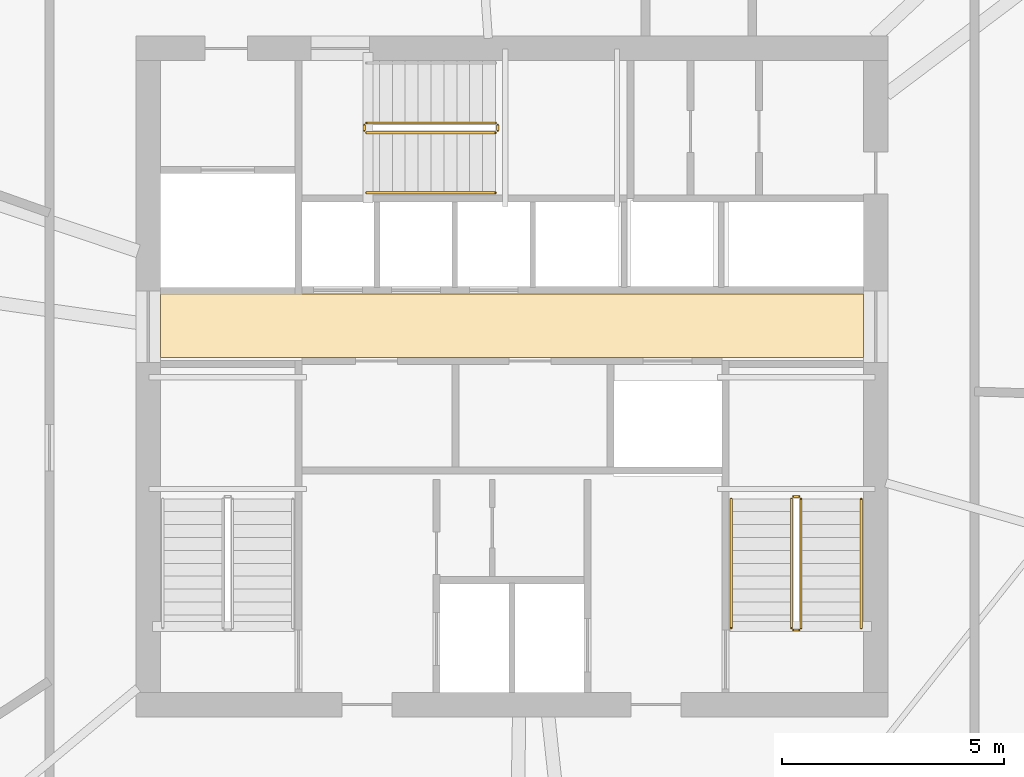
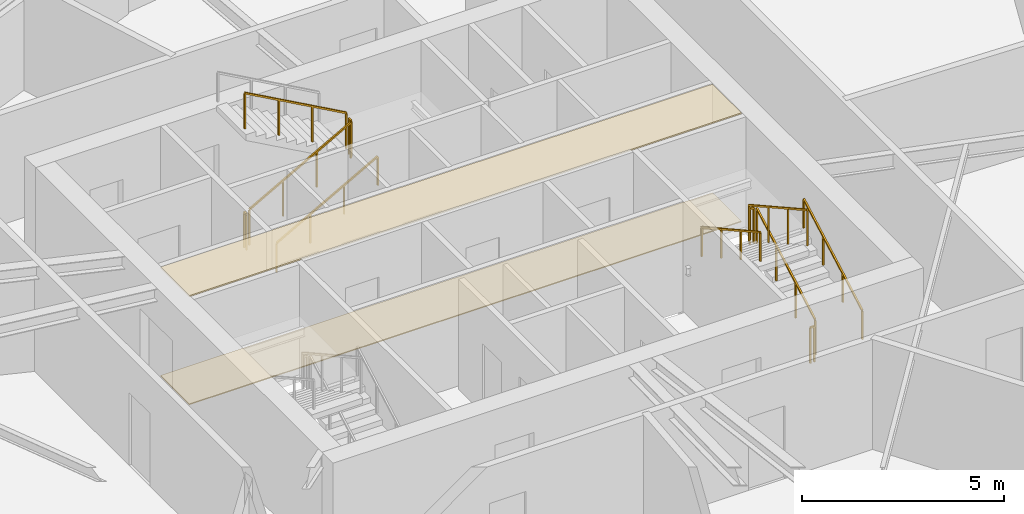
# One storey, part 12 of 13: 11 railings, 2 coverings.
"""IFC4 building model written with IfcOpenShell, lengths in metres."""

from ifc_helpers import new_model, si_unit, direction, frame, origin, origin_2d, place, context, subcontext, project, spatial, polyline, rectangle, outline, extrude, material, layer, layer_set, type_object, element, save


model = new_model("IFC4")

# Units and contexts
model_context = context("Model", 3, precision=1e-05, world=origin(), true_north=direction((0.0, 1.0)))
body_context = subcontext(model_context, "Body", "Model", "MODEL_VIEW")
ifc_project = project(units=[si_unit("LENGTHUNIT", "METRE"), si_unit("AREAUNIT", "SQUARE_METRE"), si_unit("VOLUMEUNIT", "CUBIC_METRE"), si_unit("PLANEANGLEUNIT", "RADIAN"), si_unit("MASSUNIT", "GRAM", prefix="KILO")], contexts=[model_context])

# Site, building, storey
site_placement = place(None, origin())
site = spatial("IfcSite", under=ifc_project, at=site_placement, CompositionType="ELEMENT")
building_placement = place(site_placement, origin())
building = spatial("IfcBuilding", under=site, at=building_placement, Name="Olszyna Solenne Hotel", CompositionType="ELEMENT")
storey_placement = place(building_placement, frame((0.0, 0.0, 192.75)))
storey = spatial("IfcBuildingStorey", under=building, at=storey_placement, Name="L51", CompositionType="ELEMENT", Elevation=192.75)

# Coverings
ifc_material_1 = material(Name="Mineral wool acoustic ceiling")
ifc_layer_1 = layer(ifc_material_1, 0.0400390625, Name="Mineral wool acoustic ceiling")
ifc_layer_set_1 = layer_set([ifc_layer_1], Name="Mineral wool acoustic ceiling")
covering_type_1 = type_object("IfcCoveringType", Name="CL-AC1", PredefinedType="CEILING", material=ifc_layer_set_1)
covering_1_placement = place(storey_placement, frame((0.0, 0.0, 3.27001953125)))
element("IfcCovering", 1, at=covering_1_placement, inside=storey, type_object=covering_type_1, Name="Lift lobby acoustic tile ceiling CL-L51-01", PredefinedType="CEILING", context=body_context, shape_type="SweptSolid", body=[
    extrude(outline(polyline([(30.10009765625, 27.030029296875), (45.89990234375, 27.030029296875), (45.89990234375, 28.4599609375), (30.10009765625, 28.4599609375), (30.10009765625, 27.030029296875)])), origin(), (0.0, 0.0, 1.0), 0.0400390625),
])
ifc_material_2 = material(Name="Ceramic floor tile")
ifc_layer_2 = layer(ifc_material_2, 0.030029296875, Name="Ceramic floor tile")
ifc_layer_set_2 = layer_set([ifc_layer_2], Name="Ceramic floor tile")
covering_type_2 = type_object("IfcCoveringType", Name="FL-TL1", PredefinedType="FLOORING", material=ifc_layer_set_2)
covering_2_placement = place(storey_placement, origin())
element("IfcCovering", 2, at=covering_2_placement, inside=storey, type_object=covering_type_2, Name="Lift lobby stoneware floor finish FLR-L51-01", PredefinedType="FLOORING", context=body_context, shape_type="SweptSolid", body=[
    extrude(outline(polyline([(30.10009765625, 27.030029296875), (45.89990234375, 27.030029296875), (45.89990234375, 28.4599609375), (30.10009765625, 28.4599609375), (30.10009765625, 27.030029296875)])), origin(), (0.0, 0.0, 1.0), 0.030029296875),
])

# Railings
ifc_material_3 = material(Name="Anodised bronze aluminium", Category="aluminium")
railing_type_1 = type_object("IfcRailingType", Name="GR-110", PredefinedType="BALUSTRADE", material=ifc_material_3)
railing_1_placement = place(storey_placement, frame((44.5, 20.949951171875, 0.161376953125)))
element("IfcRailing", 3, at=railing_1_placement, inside=storey, type_object=railing_type_1, Name="L51 ST2 stair guard 1", PredefinedType="BALUSTRADE", context=body_context, shape_type="SweptSolid", body=[
    extrude(rectangle(XDim=0.048095703125, YDim=0.048095703125, at=origin_2d()), frame((0.0, 0.0, 1.076171875), z_axis=(0.0, 0.873858693841, 0.486179990537), x_axis=(-1.0, 0.0, 0.0)), (0.0, 0.0, 1.0), 3.31884765625),
    extrude(rectangle(XDim=0.0419921875, YDim=0.0419921875, at=origin_2d()), origin(), (0.0, 0.0, 1.0), 1.052001953125),
    extrude(rectangle(XDim=0.0419921875, YDim=0.0419921875, at=origin_2d()), frame((0.0, 0.966796875, 0.537841796875)), (0.0, 0.0, 1.0), 1.052001953125),
    extrude(rectangle(XDim=0.0419921875, YDim=0.0419921875, at=origin_2d()), frame((0.0, 1.933349609375, 1.07568359375)), (0.0, 0.0, 1.0), 1.052001953125),
    extrude(rectangle(XDim=0.0419921875, YDim=0.0419921875, at=origin_2d()), frame((0.0, 2.900146484375, 1.613525390625)), (0.0, 0.0, 1.0), 1.052001953125),
])
railing_2_placement = place(storey_placement, frame((44.449951171875, 23.89990234375, 1.77490234375)))
element("IfcRailing", 4, at=railing_2_placement, inside=storey, type_object=railing_type_1, Name="L51 ST2 stair guard 2", PredefinedType="BALUSTRADE", context=body_context, shape_type="SweptSolid", body=[
    extrude(rectangle(XDim=0.048095703125, YDim=0.048095703125, at=origin_2d()), frame((0.0, 0.0, 1.076171875), z_axis=(-1.0, 0.0, 0.0), x_axis=(0.0, -1.0, 0.0)), (0.0, 0.0, 1.0), 0.119873046875),
    extrude(rectangle(XDim=0.0419921875, YDim=0.0419921875, at=origin_2d()), origin(), (0.0, 0.0, 1.0), 1.052001953125),
    extrude(rectangle(XDim=0.0419921875, YDim=0.0419921875, at=origin_2d()), frame((-0.119873046875, 0.0, 0.0)), (0.0, 0.0, 1.0), 1.052001953125),
])
railing_3_placement = place(storey_placement, frame((44.280029296875, 23.85009765625, 1.936279296875)))
element("IfcRailing", 5, at=railing_3_placement, inside=storey, type_object=railing_type_1, Name="L51 ST2 stair guard 3", PredefinedType="BALUSTRADE", context=body_context, shape_type="SweptSolid", body=[
    extrude(rectangle(XDim=0.048095703125, YDim=0.048095703125, at=origin_2d()), frame((0.0, 0.0, 1.076171875), z_axis=(0.0, -0.873827439584, 0.48623616261), x_axis=(1.0, 0.0, 0.0)), (0.0, 0.0, 1.0), 3.31884765625),
    extrude(rectangle(XDim=0.0419921875, YDim=0.0419921875, at=origin_2d()), origin(), (0.0, 0.0, 1.0), 1.052001953125),
    extrude(rectangle(XDim=0.0419921875, YDim=0.0419921875, at=origin_2d()), frame((0.0, -0.966796875, 0.537841796875)), (0.0, 0.0, 1.0), 1.052001953125),
    extrude(rectangle(XDim=0.0419921875, YDim=0.0419921875, at=origin_2d()), frame((0.0, -1.933349609375, 1.075927734375)), (0.0, 0.0, 1.0), 1.052001953125),
    extrude(rectangle(XDim=0.0419921875, YDim=0.0419921875, at=origin_2d()), frame((0.0, -2.900146484375, 1.61376953125)), (0.0, 0.0, 1.0), 1.052001953125),
])
railing_4_placement = place(storey_placement, frame((44.449951171875, 20.89990234375, 0.0)))
element("IfcRailing", 6, at=railing_4_placement, inside=storey, type_object=railing_type_1, Name="L51 ST2 stair guard 4", PredefinedType="BALUSTRADE", context=body_context, shape_type="SweptSolid", body=[
    extrude(rectangle(XDim=0.048095703125, YDim=0.048095703125, at=origin_2d()), frame((0.0, 0.0, 1.076171875), z_axis=(-1.0, 0.0, 0.0), x_axis=(0.0, -1.0, 0.0)), (0.0, 0.0, 1.0), 0.119873046875),
    extrude(rectangle(XDim=0.0419921875, YDim=0.0419921875, at=origin_2d()), origin(), (0.0, 0.0, 1.0), 1.052001953125),
    extrude(rectangle(XDim=0.0419921875, YDim=0.0419921875, at=origin_2d()), frame((-0.119873046875, 0.0, 0.0)), (0.0, 0.0, 1.0), 1.052001953125),
])
railing_5_placement = place(storey_placement, frame((34.72998046875, 32.080078125, 0.161376953125)))
element("IfcRailing", 7, at=railing_5_placement, inside=storey, type_object=railing_type_1, Name="L51 ST3 stair guard 1", PredefinedType="BALUSTRADE", context=body_context, shape_type="SweptSolid", body=[
    extrude(rectangle(XDim=0.048095703125, YDim=0.048095703125, at=origin_2d()), frame((0.0, 0.0, 1.076171875), z_axis=(0.873841303929, 0.0, 0.486211245805), x_axis=(0.0, 1.0, 0.0)), (0.0, 0.0, 1.0), 3.318603515625),
    extrude(rectangle(XDim=0.0419921875, YDim=0.0419921875, at=origin_2d()), origin(), (0.0, 0.0, 1.0), 1.052001953125),
    extrude(rectangle(XDim=0.0419921875, YDim=0.0419921875, at=origin_2d()), frame((0.966552734375, 0.0, 0.537841796875)), (0.0, 0.0, 1.0), 1.052001953125),
    extrude(rectangle(XDim=0.0419921875, YDim=0.0419921875, at=origin_2d()), frame((1.933349609375, 0.0, 1.07568359375)), (0.0, 0.0, 1.0), 1.052001953125),
    extrude(rectangle(XDim=0.0419921875, YDim=0.0419921875, at=origin_2d()), frame((2.89990234375, 0.0, 1.613525390625)), (0.0, 0.0, 1.0), 1.052001953125),
])
railing_6_placement = place(storey_placement, frame((37.679931640625, 32.1298828125, 1.77490234375)))
element("IfcRailing", 8, at=railing_6_placement, inside=storey, type_object=railing_type_1, Name="L51 ST3 stair guard 2", PredefinedType="BALUSTRADE", context=body_context, shape_type="SweptSolid", body=[
    extrude(rectangle(XDim=0.048095703125, YDim=0.048095703125, at=origin_2d()), frame((0.0, 0.0, 1.076171875), z_axis=(0.0, 1.0, 0.0), x_axis=(-1.0, 0.0, 0.0)), (0.0, 0.0, 1.0), 0.1201171875),
    extrude(rectangle(XDim=0.0419921875, YDim=0.0419921875, at=origin_2d()), origin(), (0.0, 0.0, 1.0), 1.052001953125),
    extrude(rectangle(XDim=0.0419921875, YDim=0.0419921875, at=origin_2d()), frame((0.0, 0.1201171875, 0.0)), (0.0, 0.0, 1.0), 1.052001953125),
])
railing_7_placement = place(storey_placement, frame((37.6298828125, 32.300048828125, 1.936279296875)))
element("IfcRailing", 9, at=railing_7_placement, inside=storey, type_object=railing_type_1, Name="L51 ST3 stair guard 3", PredefinedType="BALUSTRADE", context=body_context, shape_type="SweptSolid", body=[
    extrude(rectangle(XDim=0.048095703125, YDim=0.048095703125, at=origin_2d()), frame((0.0, 0.0, 1.076171875), z_axis=(-0.873810046276, 0.0, 0.486267419253), x_axis=(0.0, -1.0, 0.0)), (0.0, 0.0, 1.0), 3.318603515625),
    extrude(rectangle(XDim=0.0419921875, YDim=0.0419921875, at=origin_2d()), origin(), (0.0, 0.0, 1.0), 1.052001953125),
    extrude(rectangle(XDim=0.0419921875, YDim=0.0419921875, at=origin_2d()), frame((-0.966552734375, 0.0, 0.537841796875)), (0.0, 0.0, 1.0), 1.052001953125),
    extrude(rectangle(XDim=0.0419921875, YDim=0.0419921875, at=origin_2d()), frame((-1.933349609375, 0.0, 1.075927734375)), (0.0, 0.0, 1.0), 1.052001953125),
    extrude(rectangle(XDim=0.0419921875, YDim=0.0419921875, at=origin_2d()), frame((-2.89990234375, 0.0, 1.61376953125)), (0.0, 0.0, 1.0), 1.052001953125),
])
railing_8_placement = place(storey_placement, frame((34.679931640625, 32.1298828125, 0.0)))
element("IfcRailing", 10, at=railing_8_placement, inside=storey, type_object=railing_type_1, Name="L51 ST3 stair guard 4", PredefinedType="BALUSTRADE", context=body_context, shape_type="SweptSolid", body=[
    extrude(rectangle(XDim=0.048095703125, YDim=0.048095703125, at=origin_2d()), frame((0.0, 0.0, 1.076171875), z_axis=(0.0, 1.0, 0.0), x_axis=(-1.0, 0.0, 0.0)), (0.0, 0.0, 1.0), 0.1201171875),
    extrude(rectangle(XDim=0.0419921875, YDim=0.0419921875, at=origin_2d()), origin(), (0.0, 0.0, 1.0), 1.052001953125),
    extrude(rectangle(XDim=0.0419921875, YDim=0.0419921875, at=origin_2d()), frame((0.0, 0.1201171875, 0.0)), (0.0, 0.0, 1.0), 1.052001953125),
])
ifc_material_4 = material(Name="Steel S355J2", Category="steel")
railing_type_2 = type_object("IfcRailingType", Name="HR-090", PredefinedType="HANDRAIL", material=ifc_material_4)
railing_9_placement = place(storey_placement, frame((45.85009765625, 20.949951171875, 0.161376953125)))
element("IfcRailing", 11, at=railing_9_placement, inside=storey, type_object=railing_type_2, Name="L51 ST2 stair handrail 1", PredefinedType="HANDRAIL", context=body_context, shape_type="SweptSolid", body=[
    extrude(rectangle(XDim=0.048095703125, YDim=0.048095703125, at=origin_2d()), frame((0.0, 0.0, 0.8759765625), z_axis=(0.0, 0.873858693841, 0.486179990537), x_axis=(-1.0, 0.0, 0.0)), (0.0, 0.0, 1.0), 3.31884765625),
    extrude(rectangle(XDim=0.0419921875, YDim=0.0419921875, at=origin_2d()), origin(), (0.0, 0.0, 1.0), 0.851806640625),
    extrude(rectangle(XDim=0.0419921875, YDim=0.0419921875, at=origin_2d()), frame((0.0, 0.966796875, 0.537841796875)), (0.0, 0.0, 1.0), 0.851806640625),
    extrude(rectangle(XDim=0.0419921875, YDim=0.0419921875, at=origin_2d()), frame((0.0, 1.933349609375, 1.07568359375)), (0.0, 0.0, 1.0), 0.851806640625),
    extrude(rectangle(XDim=0.0419921875, YDim=0.0419921875, at=origin_2d()), frame((0.0, 2.900146484375, 1.613525390625)), (0.0, 0.0, 1.0), 0.851806640625),
])
railing_10_placement = place(storey_placement, frame((42.929931640625, 23.85009765625, 1.936279296875)))
element("IfcRailing", 12, at=railing_10_placement, inside=storey, type_object=railing_type_2, Name="L51 ST2 stair handrail 2", PredefinedType="HANDRAIL", context=body_context, shape_type="SweptSolid", body=[
    extrude(rectangle(XDim=0.048095703125, YDim=0.048095703125, at=origin_2d()), frame((0.0, 0.0, 0.8759765625), z_axis=(0.0, -0.873827439584, 0.48623616261), x_axis=(1.0, 0.0, 0.0)), (0.0, 0.0, 1.0), 3.31884765625),
    extrude(rectangle(XDim=0.0419921875, YDim=0.0419921875, at=origin_2d()), origin(), (0.0, 0.0, 1.0), 0.851806640625),
    extrude(rectangle(XDim=0.0419921875, YDim=0.0419921875, at=origin_2d()), frame((0.0, -0.966796875, 0.537841796875)), (0.0, 0.0, 1.0), 0.851806640625),
    extrude(rectangle(XDim=0.0419921875, YDim=0.0419921875, at=origin_2d()), frame((0.0, -1.933349609375, 1.075927734375)), (0.0, 0.0, 1.0), 0.851806640625),
    extrude(rectangle(XDim=0.0419921875, YDim=0.0419921875, at=origin_2d()), frame((0.0, -2.900146484375, 1.61376953125)), (0.0, 0.0, 1.0), 0.851806640625),
])
railing_11_placement = place(storey_placement, frame((34.72998046875, 30.72998046875, 0.161376953125)))
element("IfcRailing", 13, at=railing_11_placement, inside=storey, type_object=railing_type_2, Name="L51 ST3 stair handrail 1", PredefinedType="HANDRAIL", context=body_context, shape_type="SweptSolid", body=[
    extrude(rectangle(XDim=0.048095703125, YDim=0.048095703125, at=origin_2d()), frame((0.0, 0.0, 0.8759765625), z_axis=(0.873841303929, 0.0, 0.486211245805), x_axis=(0.0, 1.0, 0.0)), (0.0, 0.0, 1.0), 3.318603515625),
    extrude(rectangle(XDim=0.0419921875, YDim=0.0419921875, at=origin_2d()), origin(), (0.0, 0.0, 1.0), 0.851806640625),
    extrude(rectangle(XDim=0.0419921875, YDim=0.0419921875, at=origin_2d()), frame((0.966552734375, 0.0, 0.537841796875)), (0.0, 0.0, 1.0), 0.851806640625),
    extrude(rectangle(XDim=0.0419921875, YDim=0.0419921875, at=origin_2d()), frame((1.933349609375, 0.0, 1.07568359375)), (0.0, 0.0, 1.0), 0.851806640625),
    extrude(rectangle(XDim=0.0419921875, YDim=0.0419921875, at=origin_2d()), frame((2.89990234375, 0.0, 1.613525390625)), (0.0, 0.0, 1.0), 0.851806640625),
])

save(model, "model.ifc")
